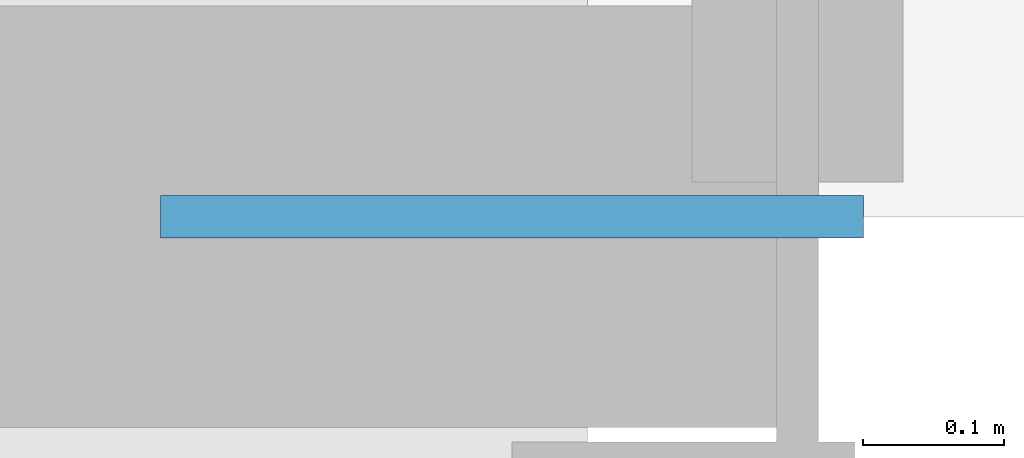
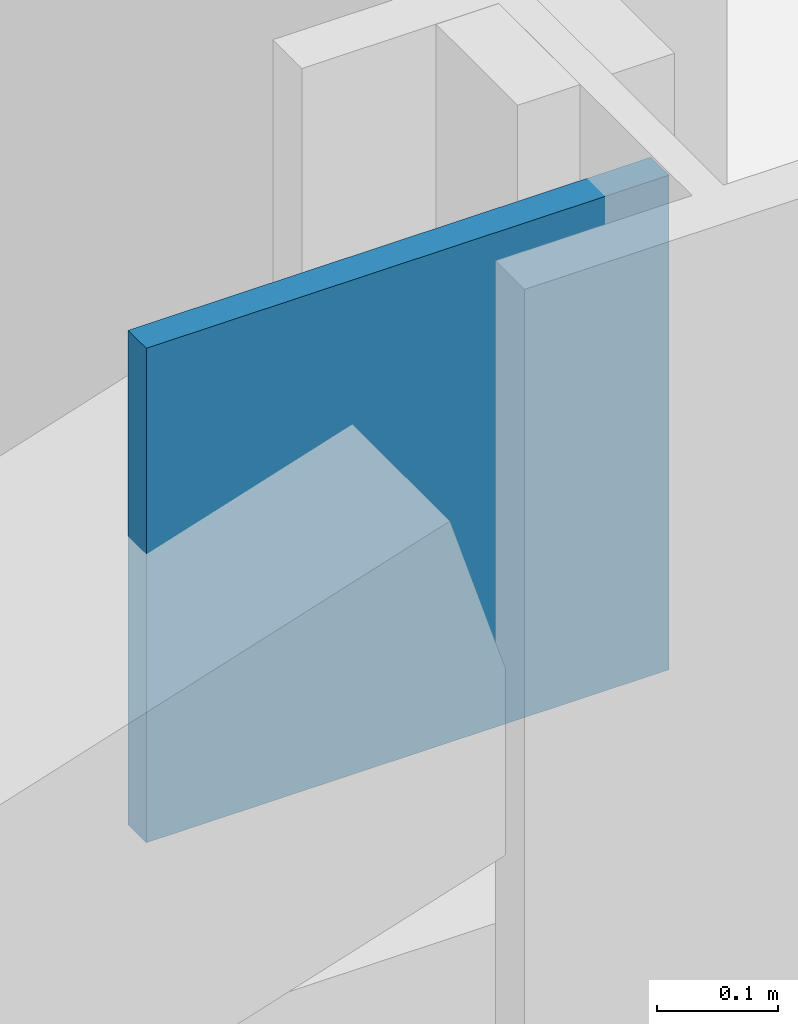
# One storey, part 18 of 27: 1 discrete accessory.
"""IFC4 building model written with IfcOpenShell, lengths in metres."""

from ifc_helpers import new_model, si_unit, direction, frame, origin, origin_2d, place, context, subcontext, project, spatial, rectangle, extrude, material, layer, layer_set, type_object, element, save


model = new_model("IFC4")

# Units and contexts
model_context = context("Model", 3, precision=1e-05, world=origin(), true_north=direction((0.0, 1.0)))
body_context = subcontext(model_context, "Body", "Model", "MODEL_VIEW")
ifc_project = project(units=[si_unit("LENGTHUNIT", "METRE"), si_unit("AREAUNIT", "SQUARE_METRE"), si_unit("VOLUMEUNIT", "CUBIC_METRE"), si_unit("PLANEANGLEUNIT", "RADIAN"), si_unit("MASSUNIT", "GRAM", prefix="KILO")], contexts=[model_context])

# Site, building, storey
site_placement = place(None, origin())
site = spatial("IfcSite", under=ifc_project, at=site_placement, CompositionType="ELEMENT")
building_placement = place(site_placement, origin())
building = spatial("IfcBuilding", under=site, at=building_placement, Name="Mahtab Terrace Research Tower", CompositionType="ELEMENT")
storey_placement = place(building_placement, frame((0.0, 0.0, 163.0)))
storey = spatial("IfcBuildingStorey", under=building, at=storey_placement, Name="L38", CompositionType="ELEMENT", Elevation=163.0)

# Discrete accessory
ifc_material = material(Name="Steel ASTM A992 Gr 50", Category="steel")
ifc_layer = layer(ifc_material, 0.030029296875)
ifc_layer_set = layer_set([ifc_layer], Name="Gusset plate 500x500x30")
discrete_accessory_type = type_object("IfcDiscreteAccessoryType", Name="Gusset plate 500x500x30", PredefinedType="USERDEFINED", material=ifc_layer_set)
discrete_accessory_placement = place(storey_placement, frame((5.796875, -23.0, 2.870849609375), z_axis=(0.0, 0.0, 1.0), x_axis=(1.0, 0.0, 0.0)))
element("IfcDiscreteAccessory", 1, at=discrete_accessory_placement, inside=storey, type_object=discrete_accessory_type, Name="Gusset plate", ObjectType="GUSSET PLATE", PredefinedType="USERDEFINED", context=body_context, shape_type="SweptSolid", body=[
    extrude(rectangle(XDim=0.5, YDim=0.030029296875, at=origin_2d()), origin(), (0.0, 0.0, 1.0), 0.5),
])

save(model, "model.ifc")
